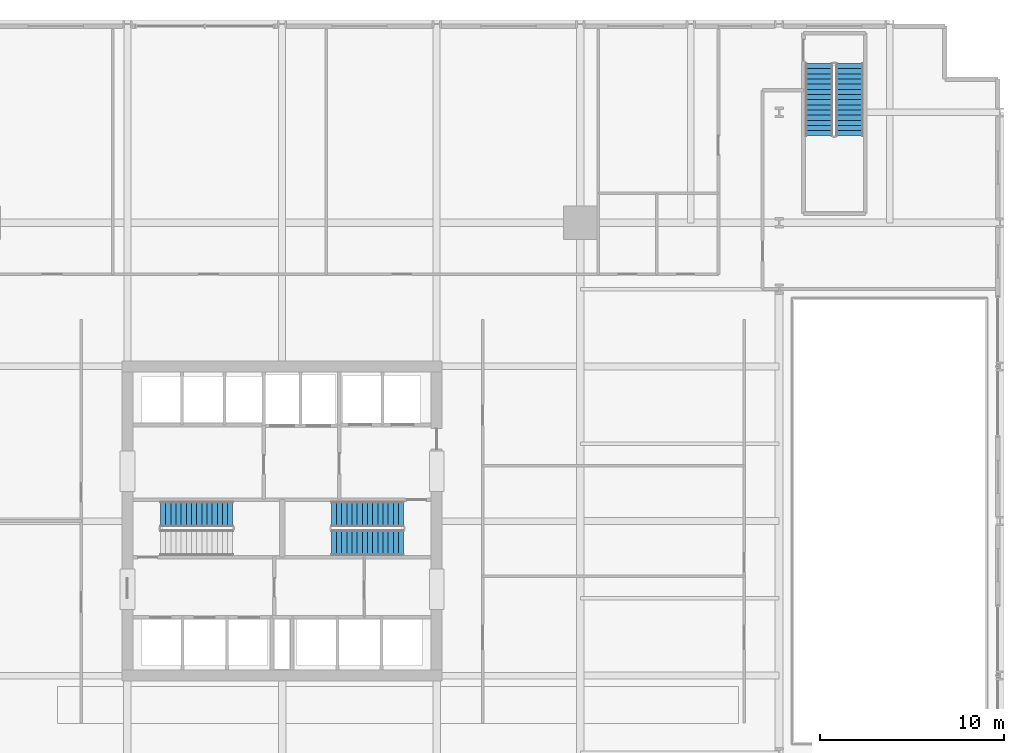
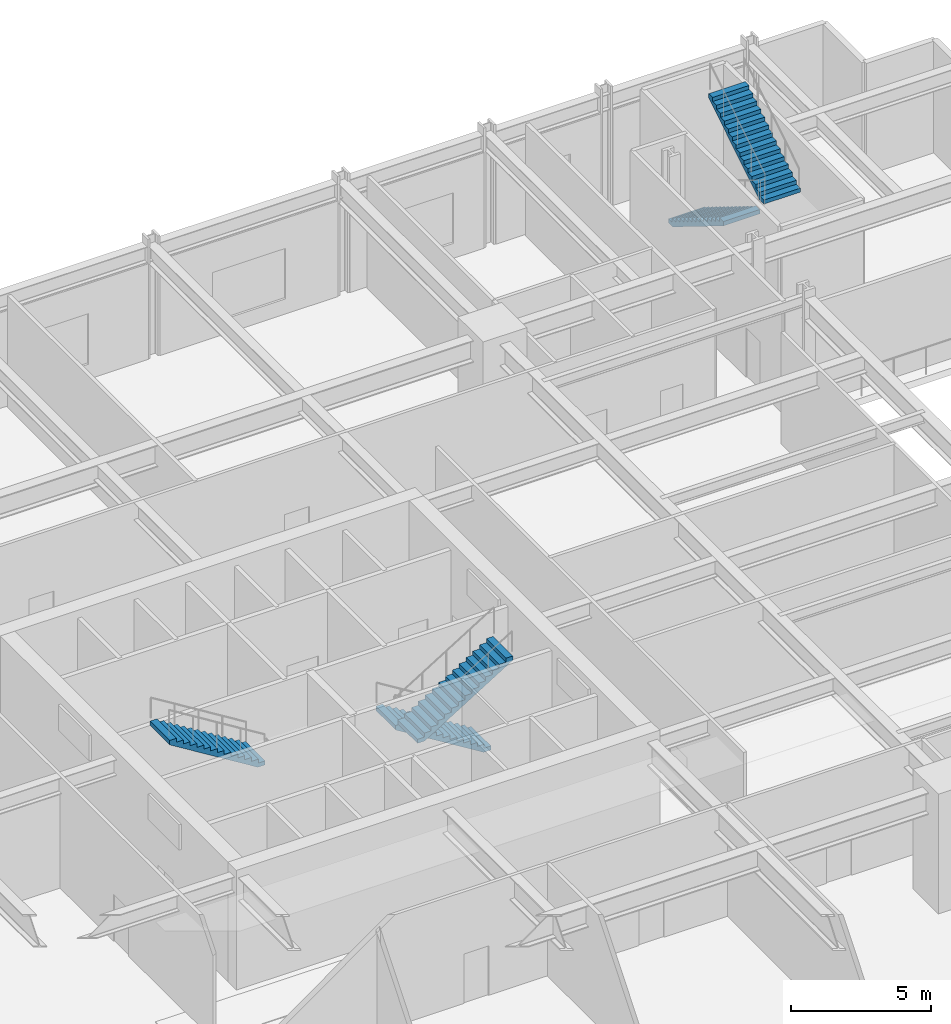
# One storey, part 15 of 21: 5 stair flights, 3 elements without a shape of their own.
"""IFC4 building model written with IfcOpenShell, lengths in metres."""

from ifc_helpers import new_model, si_unit, direction, frame, origin, place, context, subcontext, project, spatial, polyline, outline, extrude, material, type_object, element, aggregate, save


model = new_model("IFC4")

# Units and contexts
model_context = context("Model", 3, precision=1e-05, world=origin(), true_north=direction((0.0, 1.0)))
body_context = subcontext(model_context, "Body", "Model", "MODEL_VIEW")
ifc_project = project(units=[si_unit("LENGTHUNIT", "METRE"), si_unit("AREAUNIT", "SQUARE_METRE"), si_unit("VOLUMEUNIT", "CUBIC_METRE"), si_unit("PLANEANGLEUNIT", "RADIAN"), si_unit("MASSUNIT", "GRAM", prefix="KILO")], contexts=[model_context])

# Site, building, storey
site_placement = place(None, origin())
site = spatial("IfcSite", under=ifc_project, at=site_placement, CompositionType="ELEMENT")
building_placement = place(site_placement, origin())
building = spatial("IfcBuilding", under=site, at=building_placement, Name="Drelvath Grand Hotel", CompositionType="ELEMENT")
storey_placement = place(building_placement, frame((0.0, 0.0, 22.39990234375)))
storey = spatial("IfcBuildingStorey", under=building, at=storey_placement, Name="L04", CompositionType="ELEMENT", Elevation=22.39990234375)

# Stair, stair flight
ifc_material = material(Name="Concrete C40/50", Category="concrete")
stair_type_1 = type_object("IfcStairType", Name="Dogleg Exit Stair W1400-R173.3", PredefinedType="HALF_TURN_STAIR", material=ifc_material)
stair_1_placement = place(storey_placement, origin())
stair_1 = element("IfcStair", 1, at=stair_1_placement, inside=storey, type_object=stair_type_1, Name="L04 Core Exit Stair ST-1", PredefinedType="HALF_TURN_STAIR")
stair_flight_type_1 = type_object("IfcStairFlightType", Name="Concrete Stair Flight W1400-R173.3", PredefinedType="STRAIGHT", material=ifc_material)
stair_flight_1_placement = place(storey_placement, frame((-2.679931640625, 27.3798828125, 2.60009765625), z_axis=(0.0, 0.0, 1.0), x_axis=(-1.0, 0.0, 0.0)))
stair_flight_1 = element("IfcStairFlight", 2, at=stair_flight_1_placement, type_object=stair_flight_type_1, Name="ST-1 flight 2", NumberOfRisers=15, NumberOfTreads=14, PredefinedType="STRAIGHT", RiserHeight=0.173333333, TreadLength=0.28, context=body_context, shape_type="SweptSolid", body=[
    extrude(outline(polyline([(0.0, 0.0), (0.0, 0.17333984375), (0.280029296875, 0.17333984375), (0.280029296875, 0.3466796875), (0.56005859375, 0.3466796875), (0.56005859375, 0.52001953125), (0.840087890625, 0.52001953125), (0.840087890625, 0.693359375), (1.1201171875, 0.693359375), (1.1201171875, 0.86669921875), (1.39990234375, 0.86669921875), (1.39990234375, 1.0400390625), (1.679931640625, 1.0400390625), (1.679931640625, 1.21337890625), (1.9599609375, 1.21337890625), (1.9599609375, 1.38671875), (2.239990234375, 1.38671875), (2.239990234375, 1.56005859375), (2.52001953125, 1.56005859375), (2.52001953125, 1.7333984375), (2.800048828125, 1.7333984375), (2.800048828125, 1.90673828125), (3.080078125, 1.90673828125), (3.080078125, 2.080078125), (3.360107421875, 2.080078125), (3.360107421875, 2.25341796875), (3.639892578125, 2.25341796875), (3.639892578125, 2.4267578125), (3.919921875, 2.4267578125), (3.919921875, 2.60009765625), (3.919921875, 2.238525390625), (0.3037109375, 0.0), (0.0, 0.0)])), frame((0.0, 0.699951171875, 0.0), z_axis=(0.0, -1.0, 0.0), x_axis=(1.0, 0.0, 0.0)), (0.0, 0.0, 1.0), 1.39990234375),
])
aggregate(stair_1, [stair_flight_1])

# Stair, stair flights
stair_2_placement = place(storey_placement, origin())
stair_2 = element("IfcStair", 3, at=stair_2_placement, inside=storey, type_object=stair_type_1, Name="L04 Core Exit Stair ST-2", PredefinedType="HALF_TURN_STAIR")
stair_flight_2_placement = place(storey_placement, frame((6.60009765625, 27.3798828125, 0.0), z_axis=(0.0, 0.0, 1.0), x_axis=(-1.0, 0.0, 0.0)))
stair_flight_2 = element("IfcStairFlight", 4, at=stair_flight_2_placement, type_object=stair_flight_type_1, Name="ST-2 flight 1", NumberOfRisers=15, NumberOfTreads=14, PredefinedType="STRAIGHT", RiserHeight=0.173333333, TreadLength=0.28, context=body_context, shape_type="SweptSolid", body=[
    extrude(outline(polyline([(0.0, 0.0), (0.0, 0.17333984375), (0.280029296875, 0.17333984375), (0.280029296875, 0.3466796875), (0.56005859375, 0.3466796875), (0.56005859375, 0.52001953125), (0.840087890625, 0.52001953125), (0.840087890625, 0.693359375), (1.1201171875, 0.693359375), (1.1201171875, 0.86669921875), (1.39990234375, 0.86669921875), (1.39990234375, 1.0400390625), (1.679931640625, 1.0400390625), (1.679931640625, 1.21337890625), (1.9599609375, 1.21337890625), (1.9599609375, 1.38671875), (2.239990234375, 1.38671875), (2.239990234375, 1.56005859375), (2.52001953125, 1.56005859375), (2.52001953125, 1.7333984375), (2.800048828125, 1.7333984375), (2.800048828125, 1.90673828125), (3.080078125, 1.90673828125), (3.080078125, 2.080078125), (3.360107421875, 2.080078125), (3.360107421875, 2.25341796875), (3.639892578125, 2.25341796875), (3.639892578125, 2.4267578125), (3.919921875, 2.4267578125), (3.919921875, 2.60009765625), (3.919921875, 2.238525390625), (0.3037109375, 0.0), (0.0, 0.0)])), frame((0.0, 0.699951171875, 0.0), z_axis=(0.0, -1.0, 0.0), x_axis=(1.0, 0.0, 0.0)), (0.0, 0.0, 1.0), 1.39990234375),
])
stair_flight_3_placement = place(storey_placement, frame((2.679931640625, 25.820068359375, 2.60009765625), z_axis=(0.0, 0.0, 1.0), x_axis=(1.0, 0.0, 0.0)))
stair_flight_3 = element("IfcStairFlight", 5, at=stair_flight_3_placement, type_object=stair_flight_type_1, Name="ST-2 flight 2", NumberOfRisers=15, NumberOfTreads=14, PredefinedType="STRAIGHT", RiserHeight=0.173333333, TreadLength=0.28, context=body_context, shape_type="SweptSolid", body=[
    extrude(outline(polyline([(0.0, 0.0), (0.0, 0.17333984375), (0.280029296875, 0.17333984375), (0.280029296875, 0.3466796875), (0.56005859375, 0.3466796875), (0.56005859375, 0.52001953125), (0.840087890625, 0.52001953125), (0.840087890625, 0.693359375), (1.1201171875, 0.693359375), (1.1201171875, 0.86669921875), (1.39990234375, 0.86669921875), (1.39990234375, 1.0400390625), (1.679931640625, 1.0400390625), (1.679931640625, 1.21337890625), (1.9599609375, 1.21337890625), (1.9599609375, 1.38671875), (2.239990234375, 1.38671875), (2.239990234375, 1.56005859375), (2.52001953125, 1.56005859375), (2.52001953125, 1.7333984375), (2.800048828125, 1.7333984375), (2.800048828125, 1.90673828125), (3.080078125, 1.90673828125), (3.080078125, 2.080078125), (3.360107421875, 2.080078125), (3.360107421875, 2.25341796875), (3.639892578125, 2.25341796875), (3.639892578125, 2.4267578125), (3.919921875, 2.4267578125), (3.919921875, 2.60009765625), (3.919921875, 2.238525390625), (0.3037109375, 0.0), (0.0, 0.0)])), frame((0.0, 0.699951171875, 0.0), z_axis=(0.0, -1.0, 0.0), x_axis=(1.0, 0.0, 0.0)), (0.0, 0.0, 1.0), 1.39990234375),
])
aggregate(stair_2, [stair_flight_2, stair_flight_3])

stair_type_2 = type_object("IfcStairType", Name="Dogleg Exit Stair W1500-R173.3", PredefinedType="HALF_TURN_STAIR", material=ifc_material)
stair_3_placement = place(storey_placement, origin())
stair_3 = element("IfcStair", 6, at=stair_3_placement, inside=storey, type_object=stair_type_2, Name="L04 Podium Exit Stair ST-4", PredefinedType="HALF_TURN_STAIR")
stair_flight_type_2 = type_object("IfcStairFlightType", Name="Concrete Stair Flight W1500-R173.3", PredefinedType="STRAIGHT", material=ifc_material)
stair_flight_4_placement = place(storey_placement, frame((29.169921875, 51.85009765625, 0.0), z_axis=(0.0, 0.0, 1.0), x_axis=(0.0, -1.0, 0.0)))
stair_flight_4 = element("IfcStairFlight", 7, at=stair_flight_4_placement, type_object=stair_flight_type_2, Name="ST-4 flight 1", NumberOfRisers=15, NumberOfTreads=14, PredefinedType="STRAIGHT", RiserHeight=0.173333333, TreadLength=0.28, context=body_context, shape_type="SweptSolid", body=[
    extrude(outline(polyline([(0.0, 0.0), (0.0, 0.17333984375), (0.280029296875, 0.17333984375), (0.280029296875, 0.3466796875), (0.56005859375, 0.3466796875), (0.56005859375, 0.52001953125), (0.840087890625, 0.52001953125), (0.840087890625, 0.693359375), (1.1201171875, 0.693359375), (1.1201171875, 0.86669921875), (1.39990234375, 0.86669921875), (1.39990234375, 1.0400390625), (1.679931640625, 1.0400390625), (1.679931640625, 1.21337890625), (1.9599609375, 1.21337890625), (1.9599609375, 1.38671875), (2.239990234375, 1.38671875), (2.239990234375, 1.56005859375), (2.52001953125, 1.56005859375), (2.52001953125, 1.7333984375), (2.800048828125, 1.7333984375), (2.800048828125, 1.90673828125), (3.080078125, 1.90673828125), (3.080078125, 2.080078125), (3.360107421875, 2.080078125), (3.360107421875, 2.25341796875), (3.639892578125, 2.25341796875), (3.639892578125, 2.4267578125), (3.919921875, 2.4267578125), (3.919921875, 2.60009765625), (3.919921875, 2.238525390625), (0.3037109375, 0.0), (0.0, 0.0)])), frame((0.0, 0.75, 0.0), z_axis=(0.0, -1.0, 0.0), x_axis=(1.0, 0.0, 0.0)), (0.0, 0.0, 1.0), 1.5),
])
stair_flight_5_placement = place(storey_placement, frame((30.830078125, 47.929931640625, 2.60009765625), z_axis=(0.0, 0.0, 1.0), x_axis=(0.0, 1.0, 0.0)))
stair_flight_5 = element("IfcStairFlight", 8, at=stair_flight_5_placement, type_object=stair_flight_type_2, Name="ST-4 flight 2", NumberOfRisers=15, NumberOfTreads=14, PredefinedType="STRAIGHT", RiserHeight=0.173333333, TreadLength=0.28, context=body_context, shape_type="SweptSolid", body=[
    extrude(outline(polyline([(0.0, 0.0), (0.0, 0.17333984375), (0.280029296875, 0.17333984375), (0.280029296875, 0.3466796875), (0.56005859375, 0.3466796875), (0.56005859375, 0.52001953125), (0.840087890625, 0.52001953125), (0.840087890625, 0.693359375), (1.1201171875, 0.693359375), (1.1201171875, 0.86669921875), (1.39990234375, 0.86669921875), (1.39990234375, 1.0400390625), (1.679931640625, 1.0400390625), (1.679931640625, 1.21337890625), (1.9599609375, 1.21337890625), (1.9599609375, 1.38671875), (2.239990234375, 1.38671875), (2.239990234375, 1.56005859375), (2.52001953125, 1.56005859375), (2.52001953125, 1.7333984375), (2.800048828125, 1.7333984375), (2.800048828125, 1.90673828125), (3.080078125, 1.90673828125), (3.080078125, 2.080078125), (3.360107421875, 2.080078125), (3.360107421875, 2.25341796875), (3.639892578125, 2.25341796875), (3.639892578125, 2.4267578125), (3.919921875, 2.4267578125), (3.919921875, 2.60009765625), (3.919921875, 2.238525390625), (0.3037109375, 0.0), (0.0, 0.0)])), frame((0.0, 0.75, 0.0), z_axis=(0.0, -1.0, 0.0), x_axis=(1.0, 0.0, 0.0)), (0.0, 0.0, 1.0), 1.5),
])
aggregate(stair_3, [stair_flight_4, stair_flight_5])

save(model, "model.ifc")
